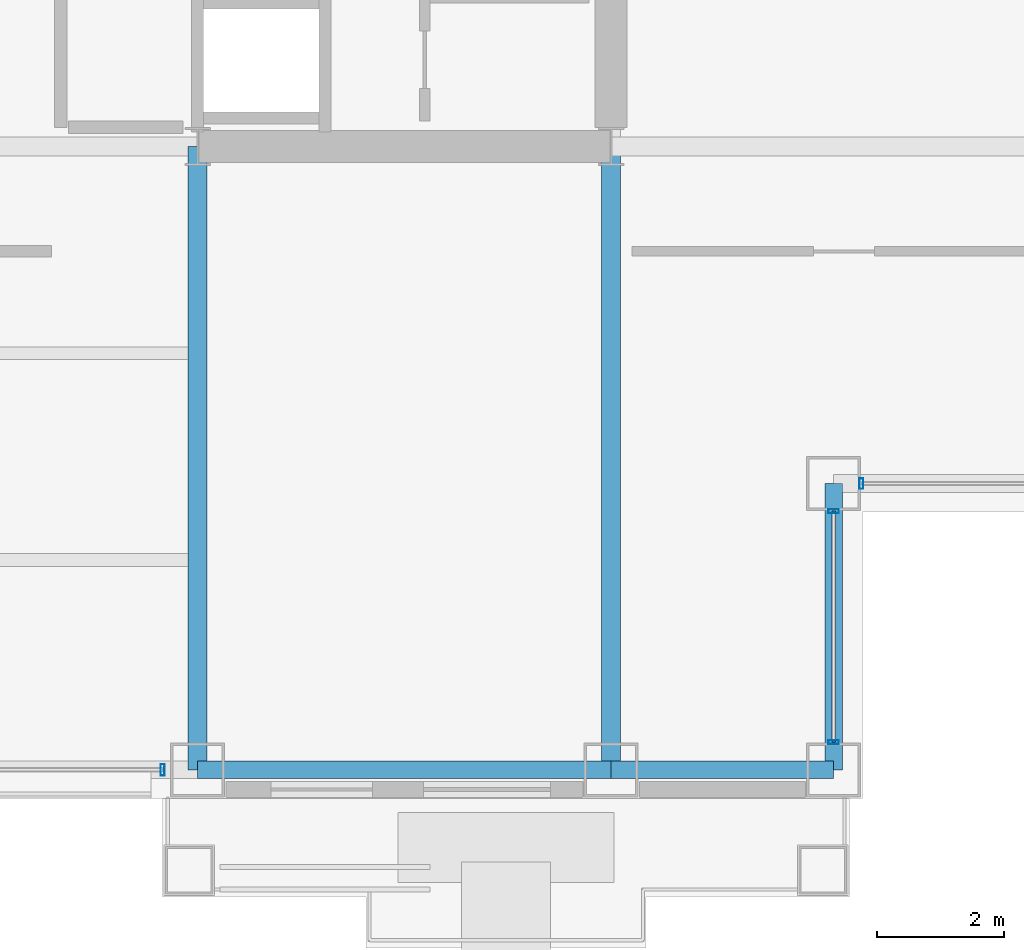
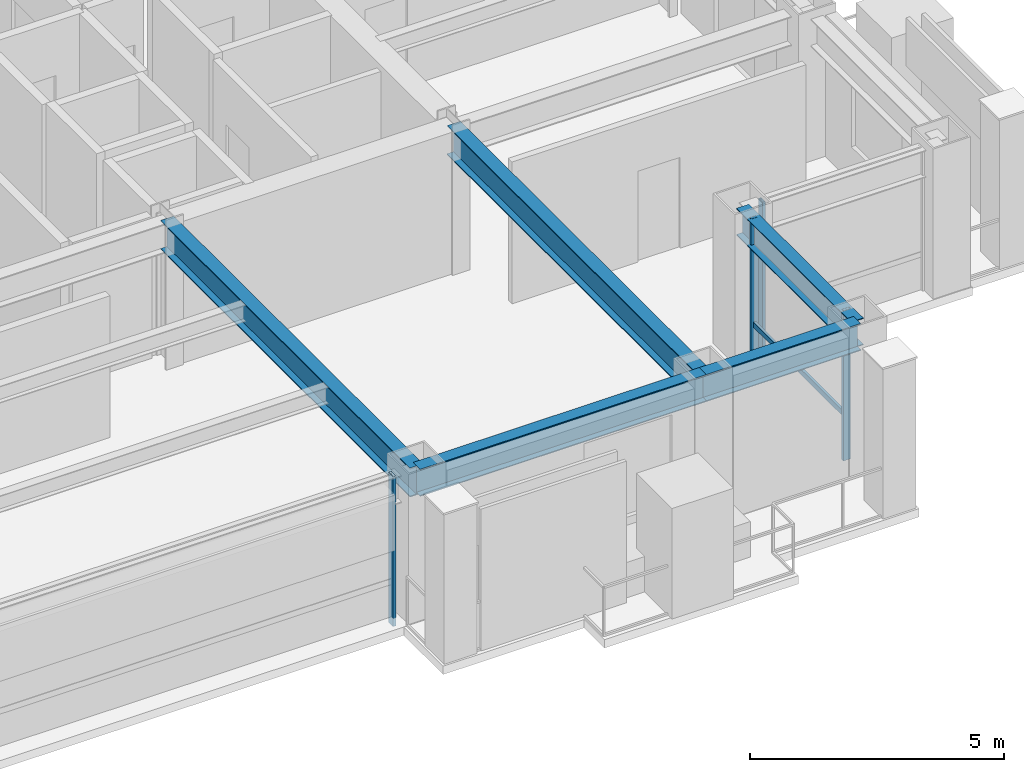
# One storey, part 11 of 30: 5 beams, 5 members, 3 elements without a shape of their own.
"""IFC4 building model written with IfcOpenShell, lengths in metres."""

import ifcopenshell
import ifcopenshell.guid

model = None  # the IFC model being written
_history = None  # IfcOwnerHistory: only IFC2X3 demands one
_inside = {}  # id of a spatial element -> (the spatial element, [elements in it])
_under = {}  # id of a project, library or spatial element -> (it, [spatial elements below it])
_declared = {}  # id of a project -> (the project, [libraries it declares])
_typed = {}  # id of a type object -> (the type object, [elements of that type])
_made_of = {}  # id of a material, layer set ... -> (it, [elements and type objects made of it])


def new_model(schema):
    """Start an empty IFC model of exactly this schema.

    Asked for "IFC4X3", IfcOpenShell would pick the latest addendum, in which some entities
    have other attributes; the version numbers below select the first issue.
    IFC2X3 requires an IfcOwnerHistory on every rooted entity: one is made here for all.
    """
    global model, _history
    if schema == "IFC4X3":
        model = ifcopenshell.file(schema_version=(4, 3, 0, 0))
    else:
        model = ifcopenshell.file(schema=schema)
    _inside.clear()
    _under.clear()
    _declared.clear()
    _typed.clear()
    _made_of.clear()
    _history = None
    if model.schema == "IFC2X3":
        org = make("IfcOrganization", Name="unknown")
        user = make(
            "IfcPersonAndOrganization",
            ThePerson=make("IfcPerson", FamilyName="unknown"),
            TheOrganization=org,
        )
        app = make(
            "IfcApplication",
            ApplicationDeveloper=org,
            Version="unknown",
            ApplicationFullName="unknown",
            ApplicationIdentifier="unknown",
        )
        _history = make(
            "IfcOwnerHistory",
            OwningUser=user,
            OwningApplication=app,
            ChangeAction="ADDED",
            CreationDate=0,
        )
    return model


def make(cls, **values):
    """One entity of the class cls with the attributes given. An attribute that is None is left unset."""
    return model.create_entity(
        cls, **{name: value for name, value in values.items() if value is not None}
    )


def rooted(cls, **values):
    """An entity with a GlobalId (a new one), such as an element, a storey or a relation."""
    return make(cls, GlobalId=ifcopenshell.guid.new(), OwnerHistory=_history, **values)


def si_unit(unit_type, name, prefix=None):
    """IfcSIUnit, for example si_unit("LENGTHUNIT", "METRE", prefix="MILLI")."""
    return make("IfcSIUnit", UnitType=unit_type, Prefix=prefix, Name=name)


def assignment(units):
    """IfcUnitAssignment: the units of a project."""
    return None if units is None else make("IfcUnitAssignment", Units=units)


def point(xyz):
    """IfcCartesianPoint."""
    return None if xyz is None else make("IfcCartesianPoint", Coordinates=xyz)


def direction(xyz):
    """IfcDirection."""
    return None if xyz is None else make("IfcDirection", DirectionRatios=xyz)


def frame(location, z_axis=None, x_axis=None):
    """IfcAxis2Placement3D, a coordinate frame: its origin and axes. An axis left out is left unset."""
    return make(
        "IfcAxis2Placement3D",
        Location=point(location),
        Axis=direction(z_axis),
        RefDirection=direction(x_axis),
    )


def frame_2d(location, x_axis=None):
    """IfcAxis2Placement2D, a coordinate frame in the plane: its origin and x axis."""
    return make(
        "IfcAxis2Placement2D", Location=point(location), RefDirection=direction(x_axis)
    )


def origin():
    """The frame at (0, 0, 0) with its axes left unset."""
    return frame((0.0, 0.0, 0.0))


def origin_2d():
    """The frame at (0, 0) in the plane with its x axis left unset."""
    return frame_2d((0.0, 0.0))


def place(relative_to, where):
    """IfcLocalPlacement: puts the frame where relative to a parent placement (None: the world)."""
    return make(
        "IfcLocalPlacement", PlacementRelTo=relative_to, RelativePlacement=where
    )


def context(
    kind, dimensions, precision=None, world=None, true_north=None, identifier=None
):
    """IfcGeometricRepresentationContext, for example the 3D "Model" context."""
    return make(
        "IfcGeometricRepresentationContext",
        ContextIdentifier=identifier,
        ContextType=kind,
        CoordinateSpaceDimension=dimensions,
        Precision=precision,
        WorldCoordinateSystem=world,
        TrueNorth=true_north,
    )


def subcontext(parent, identifier, kind, view, scale=None):
    """IfcGeometricRepresentationSubContext, for example "Body" below "Model"."""
    return make(
        "IfcGeometricRepresentationSubContext",
        ContextIdentifier=identifier,
        ContextType=kind,
        ParentContext=parent,
        TargetScale=scale,
        TargetView=view,
    )


def project(units=None, contexts=None):
    """IfcProject with its units and contexts."""
    return rooted(
        "IfcProject",
        Name="project",
        RepresentationContexts=contexts,
        UnitsInContext=assignment(units),
    )


def spatial(cls, under=None, at=None, **own):
    """A site, building, storey or space (cls), placed at a placement, below another one or the project."""
    s = rooted(cls, ObjectPlacement=at, **own)
    if under is not None:
        _under.setdefault(under.id(), (under, []))[1].append(s)
    return s


def profile(cls, at=None, kind="AREA", **sizes):
    """A parametric profile (cls). Its sizes go by their IFC names, for example OverallWidth=200.0."""
    return make(cls, ProfileType=kind, Position=at, **sizes)


def hollow_rectangle(**sizes):
    """IfcRectangleHollowProfileDef."""
    return profile("IfcRectangleHollowProfileDef", **sizes)


def i_section(**sizes):
    """IfcIShapeProfileDef."""
    return profile("IfcIShapeProfileDef", **sizes)


def extrude(swept, where, along, depth):
    """IfcExtrudedAreaSolid: the profile swept, set in the frame where, extruded along a direction by depth."""
    return make(
        "IfcExtrudedAreaSolid",
        SweptArea=swept,
        Position=where,
        ExtrudedDirection=direction(along),
        Depth=depth,
    )


def shape(context_of_items, identifier, shape_type, items):
    """IfcShapeRepresentation: the items that make up one representation, for example the "Body"."""
    return make(
        "IfcShapeRepresentation",
        ContextOfItems=context_of_items,
        RepresentationIdentifier=identifier,
        RepresentationType=shape_type,
        Items=items,
    )


def material(Name=None, Category=None):
    """IfcMaterial."""
    return make("IfcMaterial", Name=Name, Category=Category)


def layer(
    of_material, thickness, ventilated=None, Name=None, Category=None, Priority=None
):
    """IfcMaterialLayer: one layer of a wall or slab, of a material (None: an air gap)."""
    return make(
        "IfcMaterialLayer",
        Material=of_material,
        LayerThickness=thickness,
        IsVentilated=ventilated,
        Name=Name,
        Category=Category,
        Priority=Priority,
    )


def layer_set(layers, Name=None):
    """IfcMaterialLayerSet."""
    return make("IfcMaterialLayerSet", MaterialLayers=layers, LayerSetName=Name)


def material_profile(
    of_material, cross_section, Name=None, Category=None, Priority=None
):
    """IfcMaterialProfile: a cross section and its material."""
    return make(
        "IfcMaterialProfile",
        Name=Name,
        Material=of_material,
        Profile=cross_section,
        Priority=Priority,
        Category=Category,
    )


def profile_set(profiles, Name=None, composite=None):
    """IfcMaterialProfileSet."""
    return make(
        "IfcMaterialProfileSet",
        Name=Name,
        MaterialProfiles=profiles,
        CompositeProfile=composite,
    )


def made_of(thing, what):
    """Note that an element or type object is made of a material, layer set ...; save() writes the relation."""
    if what is not None:
        _made_of.setdefault(what.id(), (what, []))[1].append(thing)
    return thing


def type_object(cls, material=None, **own):
    """A type object (cls), such as IfcWallType, which elements share."""
    return made_of(rooted(cls, **own), material)


def element(
    cls,
    number,
    at=None,
    inside=None,
    cuts=None,
    type_object=None,
    material=None,
    context=None,
    identifier="Body",
    shape_type=None,
    held_by="IfcProductDefinitionShape",
    body=None,
    shapes=None,
    **own,
):
    """One element of the class cls, such as IfcWall. Its Tag is "e" and its number.

    at: its placement. inside: the storey or other place that contains it. cuts: it is an
    opening in that element (IfcRelVoidsElement). A single representation is given by context,
    identifier, shape_type and body (its items); several are given by shapes. held_by: the class
    of the entity that holds the representations. save() writes the other relations.
    """
    e = rooted(cls, Tag="e%d" % number, ObjectPlacement=at, **own)
    if body is not None:
        shapes = [shape(context, identifier, shape_type, body)]
    if shapes is not None:
        e.Representation = make(held_by, Representations=shapes)
    if inside is not None:
        _inside.setdefault(inside.id(), (inside, []))[1].append(e)
    if cuts is not None:
        rooted(
            "IfcRelVoidsElement", RelatingBuildingElement=cuts, RelatedOpeningElement=e
        )
    if type_object is not None:
        _typed.setdefault(type_object.id(), (type_object, []))[1].append(e)
    return made_of(e, material)


def aggregate(whole, parts):
    """IfcRelAggregates: a whole, such as a stair, and the parts it consists of."""
    return rooted("IfcRelAggregates", RelatingObject=whole, RelatedObjects=parts)


def save(model, path):
    """Write the relations noted so far, then the file.

    IfcRelAggregates (storeys below a building ...), IfcRelContainedInSpatialStructure (elements
    in a storey), IfcRelDefinesByType, IfcRelAssociatesMaterial and IfcRelDeclares: one each for
    every whole, place, type object, material and project.
    """
    for whole, parts in _under.values():
        aggregate(whole, parts)
    for where, things in _inside.values():
        rooted(
            "IfcRelContainedInSpatialStructure",
            RelatedElements=things,
            RelatingStructure=where,
        )
    for kind, things in _typed.values():
        rooted("IfcRelDefinesByType", RelatedObjects=things, RelatingType=kind)
    for what, things in _made_of.values():
        rooted("IfcRelAssociatesMaterial", RelatedObjects=things, RelatingMaterial=what)
    for by, libraries in _declared.values():
        rooted("IfcRelDeclares", RelatingContext=by, RelatedDefinitions=libraries)
    model.write(path)


model = new_model("IFC4")

# Units and contexts
model_context = context("Model", 3, precision=1e-05, world=origin(), true_north=direction((0.0, 1.0)))
body_context = subcontext(model_context, "Body", "Model", "MODEL_VIEW")
ifc_project = project(units=[si_unit("LENGTHUNIT", "METRE"), si_unit("AREAUNIT", "SQUARE_METRE"), si_unit("VOLUMEUNIT", "CUBIC_METRE"), si_unit("PLANEANGLEUNIT", "RADIAN"), si_unit("MASSUNIT", "GRAM", prefix="KILO")], contexts=[model_context])

# Site, building, storey
site_placement = place(None, origin())
site = spatial("IfcSite", under=ifc_project, at=site_placement, CompositionType="ELEMENT")
building_placement = place(site_placement, origin())
building = spatial("IfcBuilding", under=site, at=building_placement, Name="Brelmoor Portico Tower", CompositionType="ELEMENT")
storey_placement = place(building_placement, frame((0.0, 0.0, 102.60009765625)))
storey = spatial("IfcBuildingStorey", under=building, at=storey_placement, Name="L26", CompositionType="ELEMENT", Elevation=102.60009765625)

# Beams
ifc_material_1 = material(Name="Steel Q355B", Category="steel")
ifc_material_profile_1 = material_profile(ifc_material_1, i_section(OverallWidth=0.300048828125, OverallDepth=0.699951171875, WebThickness=0.012939453125, FlangeThickness=0.02392578125, at=origin_2d()), Name="HN 700x300x13x24")
ifc_profile_set_1 = profile_set([ifc_material_profile_1], Name="Steel Q355B")
beam_type_1 = type_object("IfcBeamType", Name="BM-PG-700", PredefinedType="BEAM", material=ifc_profile_set_1)
for number, where, z_axis, x_axis, name in (
    (1, (8.050048828125, -19.550048828125, 3.0498046875), (0.0, 1.0, 0.0), (-1.0, 0.0, 0.0), "L26 Primary Floor Girder PG-08"),
    (2, (14.550048828125, -19.550048828125, 3.0498046875), (0.0, 1.0, 0.0), (-1.0, 0.0, 0.0), "L26 Primary Floor Girder PG-10"),
):
    element("IfcBeam", number, at=place(storey_placement, frame(where, z_axis=z_axis, x_axis=x_axis)), inside=storey, type_object=beam_type_1, Name=name, PredefinedType="BEAM", context=body_context, shape_type="SweptSolid", body=[
        extrude(i_section(OverallWidth=0.300048828125, OverallDepth=0.699951171875, WebThickness=0.012939453125, FlangeThickness=0.02392578125, at=origin_2d()), origin(), (0.0, 0.0, 1.0), 9.800048828125),
    ])
ifc_material_profile_2 = material_profile(ifc_material_1, i_section(OverallWidth=0.280029296875, OverallDepth=0.64990234375, WebThickness=0.012939453125, FlangeThickness=0.02197265625, at=origin_2d()), Name="HN 650x280x13x22")
ifc_profile_set_2 = profile_set([ifc_material_profile_2], Name="Steel Q355B")
beam_type_2 = type_object("IfcBeamType", Name="BM-SP-650", PredefinedType="SPANDREL", material=ifc_profile_set_2)
beam_1_placement = place(storey_placement, frame((8.050048828125, -19.550048828125, 3.074951171875), z_axis=(1.0, 0.0, 0.0), x_axis=(0.0, 1.0, 0.0)))
element("IfcBeam", 3, at=beam_1_placement, inside=storey, type_object=beam_type_2, Name="L26 Perimeter Spandrel Beam SP-04", PredefinedType="SPANDREL", context=body_context, shape_type="SweptSolid", body=[
    extrude(i_section(OverallWidth=0.280029296875, OverallDepth=0.64990234375, WebThickness=0.012939453125, FlangeThickness=0.02197265625, at=origin_2d()), origin(), (0.0, 0.0, 1.0), 6.5),
])
beam_2_placement = place(storey_placement, frame((14.550048828125, -19.550048828125, 3.074951171875), z_axis=(1.0, 0.0, 0.0), x_axis=(0.0, 1.0, 0.0)))
element("IfcBeam", 4, at=beam_2_placement, inside=storey, type_object=beam_type_2, Name="L26 Perimeter Spandrel Beam SP-05", PredefinedType="SPANDREL", context=body_context, shape_type="SweptSolid", body=[
    extrude(i_section(OverallWidth=0.280029296875, OverallDepth=0.64990234375, WebThickness=0.012939453125, FlangeThickness=0.02197265625, at=origin_2d()), origin(), (0.0, 0.0, 1.0), 3.5),
])
beam_3_placement = place(storey_placement, frame((18.050048828125, -19.550048828125, 3.074951171875), z_axis=(0.0, 1.0, 0.0), x_axis=(-1.0, 0.0, 0.0)))
element("IfcBeam", 5, at=beam_3_placement, inside=storey, type_object=beam_type_2, Name="L26 Perimeter Spandrel Beam SP-20", PredefinedType="SPANDREL", context=body_context, shape_type="SweptSolid", body=[
    extrude(i_section(OverallWidth=0.280029296875, OverallDepth=0.64990234375, WebThickness=0.012939453125, FlangeThickness=0.02197265625, at=origin_2d()), origin(), (0.0, 0.0, 1.0), 4.5),
])

# Curtain wall, member
ifc_material_2 = material(Name="Anodised Aluminium Alloy 6063-T6", Category="aluminium")
ifc_layer_1 = layer(ifc_material_2, 0.179931640625)
ifc_layer_set_1 = layer_set([ifc_layer_1], Name="Anodised Aluminium Alloy 6063-T6")
curtain_wall_type_1 = type_object("IfcCurtainWallType", Name="CW-NOTCH-CHAMFER", PredefinedType="NOTDEFINED", material=ifc_layer_set_1)
curtain_wall_1_placement = place(storey_placement, origin())
curtain_wall_1 = element("IfcCurtainWall", 6, at=curtain_wall_1_placement, inside=storey, type_object=curtain_wall_type_1, Name="L26 Curtain Wall CWN-L26-SEH", PredefinedType="NOTDEFINED")
ifc_material_profile_3 = material_profile(ifc_material_2, hollow_rectangle(XDim=0.06494140625, YDim=0.1650390625, WallThickness=0.00390625, at=origin_2d()), Name="ALU MULLION 65x165")
ifc_profile_set_3 = profile_set([ifc_material_profile_3], Name="Anodised Aluminium Alloy 6063-T6")
member_type_1 = type_object("IfcMemberType", Name="MB-CW-MULL-165", PredefinedType="MULLION", material=ifc_profile_set_3)
member_1_placement = place(storey_placement, frame((18.485107421875, -15.050048828125, -0.2001953125), z_axis=(0.0, 0.0, 1.0), x_axis=(1.0, 0.0, 0.0)))
member_1 = element("IfcMember", 7, at=member_1_placement, type_object=member_type_1, Name="CWN-L26-SEH Mullion 00", PredefinedType="MULLION", context=body_context, shape_type="SweptSolid", body=[
    extrude(hollow_rectangle(XDim=0.06494140625, YDim=0.1650390625, WallThickness=0.00390625, at=origin_2d()), origin(), (0.0, 0.0, 1.0), 3.60009765625),
])
aggregate(curtain_wall_1, [member_1])

# Curtain wall, members
curtain_wall_2_placement = place(storey_placement, origin())
curtain_wall_2 = element("IfcCurtainWall", 8, at=curtain_wall_2_placement, inside=storey, type_object=curtain_wall_type_1, Name="L26 Curtain Wall CWN-L26-SEV", PredefinedType="NOTDEFINED")
member_2_placement = place(storey_placement, frame((18.050048828125, -19.114990234375, -0.2001953125), z_axis=(0.0, 0.0, 1.0), x_axis=(0.0, 1.0, 0.0)))
member_2 = element("IfcMember", 9, at=member_2_placement, type_object=member_type_1, Name="CWN-L26-SEV Mullion 00", PredefinedType="MULLION", context=body_context, shape_type="SweptSolid", body=[
    extrude(hollow_rectangle(XDim=0.06494140625, YDim=0.1650390625, WallThickness=0.00390625, at=origin_2d()), origin(), (0.0, 0.0, 1.0), 3.60009765625),
])
member_3_placement = place(storey_placement, frame((18.050048828125, -15.485107421875, -0.2001953125), z_axis=(0.0, 0.0, 1.0), x_axis=(0.0, 1.0, 0.0)))
member_3 = element("IfcMember", 10, at=member_3_placement, type_object=member_type_1, Name="CWN-L26-SEV Mullion 01", PredefinedType="MULLION", context=body_context, shape_type="SweptSolid", body=[
    extrude(hollow_rectangle(XDim=0.06494140625, YDim=0.1650390625, WallThickness=0.00390625, at=origin_2d()), origin(), (0.0, 0.0, 1.0), 3.60009765625),
])

# Curtain wall, member
ifc_layer_2 = layer(ifc_material_2, 0.179931640625)
ifc_layer_set_2 = layer_set([ifc_layer_2], Name="Anodised Aluminium Alloy 6063-T6")
curtain_wall_type_2 = type_object("IfcCurtainWallType", Name="CW-TOWER-Z2", PredefinedType="NOTDEFINED", material=ifc_layer_set_2)
curtain_wall_3_placement = place(storey_placement, origin())
curtain_wall_3 = element("IfcCurtainWall", 11, at=curtain_wall_3_placement, inside=storey, type_object=curtain_wall_type_2, Name="L26 Curtain Wall CW-L26-1L-3", PredefinedType="NOTDEFINED")
ifc_material_profile_4 = material_profile(ifc_material_2, hollow_rectangle(XDim=0.06494140625, YDim=0.179931640625, WallThickness=0.00390625, at=origin_2d()), Name="ALU MULLION 65x180")
ifc_profile_set_4 = profile_set([ifc_material_profile_4], Name="Anodised Aluminium Alloy 6063-T6")
member_type_2 = type_object("IfcMemberType", Name="MB-CW-MULL-180", PredefinedType="MULLION", material=ifc_profile_set_4)
member_4_placement = place(storey_placement, frame((7.5, -19.550048828125, -0.2001953125), z_axis=(0.0, 0.0, 1.0), x_axis=(1.0, 0.0, 0.0)))
member_4 = element("IfcMember", 12, at=member_4_placement, type_object=member_type_2, Name="CW-L26-1L-3 Mullion 01", PredefinedType="MULLION", context=body_context, shape_type="SweptSolid", body=[
    extrude(hollow_rectangle(XDim=0.06494140625, YDim=0.179931640625, WallThickness=0.00390625, at=origin_2d()), origin(), (0.0, 0.0, 1.0), 3.60009765625),
])
aggregate(curtain_wall_3, [member_4])

# Member
ifc_material_profile_5 = material_profile(ifc_material_2, hollow_rectangle(XDim=0.06005859375, YDim=0.125, WallThickness=0.00341796875, at=origin_2d()), Name="ALU TRANSOM 60x125")
ifc_profile_set_5 = profile_set([ifc_material_profile_5], Name="Anodised Aluminium Alloy 6063-T6")
member_type_3 = type_object("IfcMemberType", Name="MB-CW-TRAN-125", PredefinedType="USERDEFINED", material=ifc_profile_set_5)
member_5_placement = place(storey_placement, frame((18.050048828125, -19.114990234375, 0.849853515625), z_axis=(0.0, 1.0, 0.0), x_axis=(-1.0, 0.0, 0.0)))
member_5 = element("IfcMember", 13, at=member_5_placement, type_object=member_type_3, Name="CWN-L26-SEV Transom 1-00", ObjectType="TRANSOM", PredefinedType="USERDEFINED", context=body_context, shape_type="SweptSolid", body=[
    extrude(hollow_rectangle(XDim=0.06005859375, YDim=0.125, WallThickness=0.00341796875, at=origin_2d()), origin(), (0.0, 0.0, 1.0), 3.6298828125),
])

aggregate(curtain_wall_2, [member_2, member_3, member_5])

save(model, "model.ifc")
